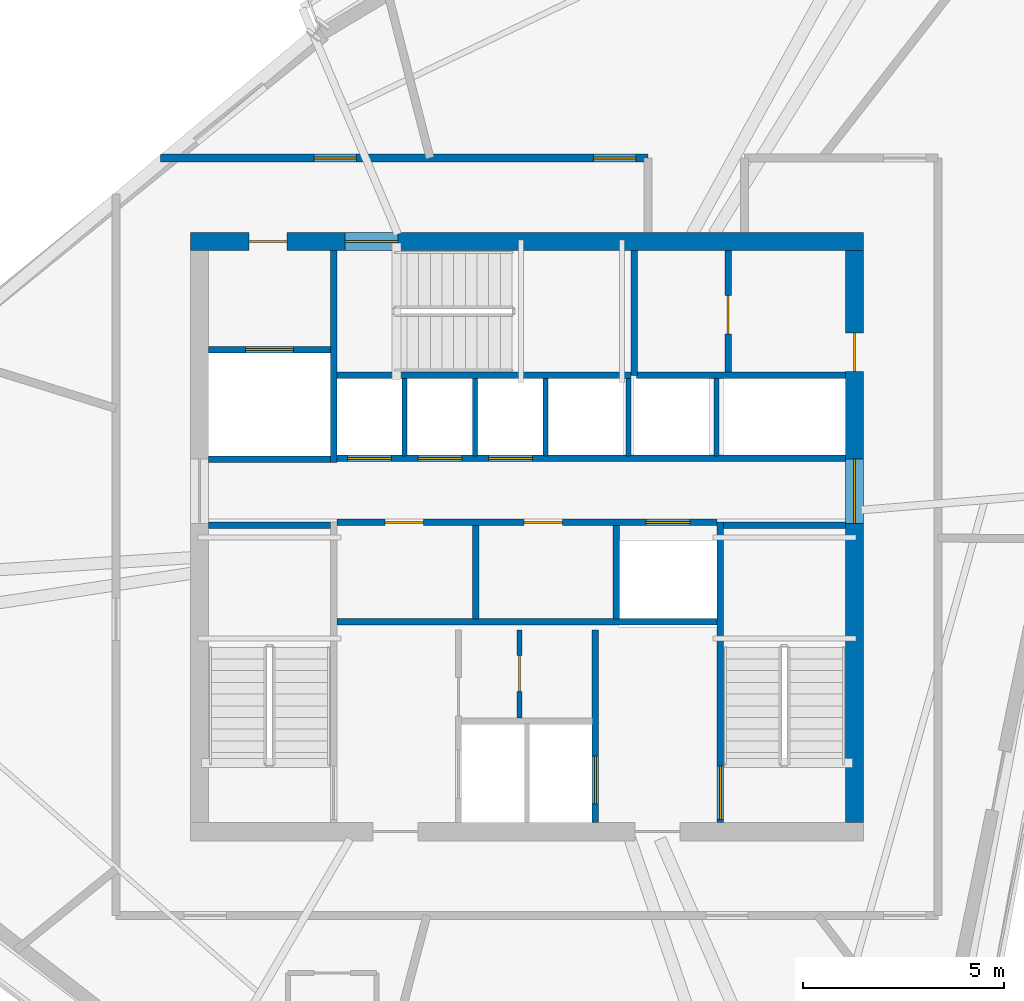
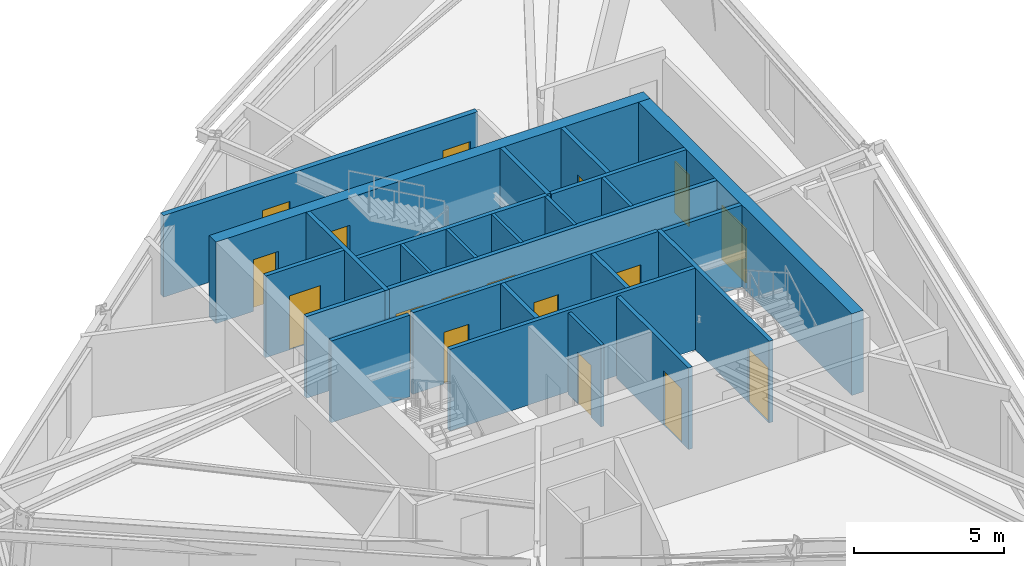
# One storey, part 10 of 14: 25 walls, 17 doors, 17 openings.
"""IFC4 building model written with IfcOpenShell, lengths in metres."""

from ifc_helpers import new_model, si_unit, direction, frame, frame_2d, origin, place, context, subcontext, project, spatial, rectangle, extrude, source, transform, mapped, material, layer, layer_set, type_object, type_shapes, element, fill, save


model = new_model("IFC4")

# Units and contexts
model_context = context("Model", 3, precision=1e-05, world=origin(), true_north=direction((0.0, 1.0)))
body_context = subcontext(model_context, "Body", "Model", "MODEL_VIEW")
ifc_project = project(units=[si_unit("LENGTHUNIT", "METRE"), si_unit("AREAUNIT", "SQUARE_METRE"), si_unit("VOLUMEUNIT", "CUBIC_METRE"), si_unit("PLANEANGLEUNIT", "RADIAN"), si_unit("MASSUNIT", "GRAM", prefix="KILO")], contexts=[model_context])

# Site, building, storey
site_placement = place(None, origin())
site = spatial("IfcSite", under=ifc_project, at=site_placement, CompositionType="ELEMENT")
building_placement = place(site_placement, origin())
building = spatial("IfcBuilding", under=site, at=building_placement, Name="Olszyna Solenne Hotel", CompositionType="ELEMENT")
storey_placement = place(building_placement, frame((0.0, 0.0, 274.10009765625)))
storey = spatial("IfcBuildingStorey", under=building, at=storey_placement, Name="L73", CompositionType="ELEMENT", Elevation=274.10009765625)

# Wall, openings, doors
ifc_material_1 = material(Name="Concrete C50/60", Category="concrete")
ifc_layer_1 = layer(ifc_material_1, 0.449951171875, Name="Concrete C50/60")
ifc_layer_set_1 = layer_set([ifc_layer_1], Name="Concrete C50/60")
wall_type_1 = type_object("IfcWallType", Name="WL-CR450", PredefinedType="SHEAR", material=ifc_layer_set_1)
wall_1_placement = place(storey_placement, frame((29.64990234375, 33.925048828125, 0.0), z_axis=(0.0, 0.0, 1.0), x_axis=(1.0, 0.0, 0.0)))
wall_1 = element("IfcWall", 1, at=wall_1_placement, inside=storey, type_object=wall_type_1, Name="Core shear wall WL-CR450 CRW-L73-N", PredefinedType="SHEAR", context=body_context, shape_type="SweptSolid", body=[
    extrude(rectangle(XDim=16.7001953125, YDim=0.449951171875, at=frame_2d((8.35009765625, 0.0))), origin(), (0.0, 0.0, 1.0), 3.31982421875),
])
opening_1_placement = place(wall_1_placement, frame((1.449951171875, 0.0, 0.0)))
opening_1 = element("IfcOpeningElement", 2, at=opening_1_placement, cuts=wall_1, Name="Opening SVD-L73-01", PredefinedType="OPENING", context=body_context, shape_type="SweptSolid", body=[
    extrude(rectangle(XDim=0.949951171875, YDim=2.10009765625, at=frame_2d((0.47509765625, 1.050048828125))), frame((0.0, 0.23486328125, 0.0), z_axis=(0.0, -1.0, 0.0), x_axis=(1.0, 0.0, 0.0)), (0.0, 0.0, 1.0), 0.469970703125),
])
opening_2_placement = place(wall_1_placement, frame((3.830078125, 0.0, 0.0)))
opening_2 = element("IfcOpeningElement", 3, at=opening_2_placement, cuts=wall_1, Name="Opening STD-L73-03", PredefinedType="OPENING", context=body_context, shape_type="SweptSolid", body=[
    extrude(rectangle(XDim=1.320068359375, YDim=2.199951171875, at=frame_2d((0.66015625, 1.10009765625))), frame((0.0, 0.23486328125, 0.0), z_axis=(0.0, -1.0, 0.0), x_axis=(1.0, 0.0, 0.0)), (0.0, 0.0, 1.0), 0.469970703125),
])
ifc_material_2 = material(Name="Steel S355J2", Category="steel")
door_type_1 = type_object("IfcDoorType", Name="DR-ST1", OperationType="NOTDEFINED", PredefinedType="DOOR", material=ifc_material_2)
shared_shape_1 = source(origin(), body_context, "Body", "SweptSolid", [
    extrude(rectangle(XDim=1.320068359375, YDim=2.199951171875, at=frame_2d((0.66015625, 1.10009765625))), frame((0.0, 0.02490234375, 0.0), z_axis=(0.0, -1.0, 0.0), x_axis=(1.0, 0.0, 0.0)), (0.0, 0.0, 1.0), 0.050048828125),
])
type_shapes(door_type_1, [shared_shape_1])
door_1_placement = place(opening_2_placement, origin())
door_1 = element("IfcDoor", 4, at=door_1_placement, inside=storey, type_object=door_type_1, Name="Pressurised exit stair ST3 fire door STD-L73-03", OperationType="SINGLE_SWING_RIGHT", OverallHeight=2.199951171875, OverallWidth=1.320068359375, PredefinedType="DOOR", context=body_context, shape_type="MappedRepresentation", body=[
    mapped(shared_shape_1, transform((0.0, 0.0, 0.0), x_axis=(1.0, 0.0, 0.0), y_axis=(0.0, 1.0, 0.0), z_axis=(0.0, 0.0, 1.0), scale=1.0)),
])
fill(opening_2, door_1)
door_type_2 = type_object("IfcDoorType", Name="DR-SV1", OperationType="NOTDEFINED", PredefinedType="DOOR", material=ifc_material_2)
shared_shape_2 = source(origin(), body_context, "Body", "SweptSolid", [
    extrude(rectangle(XDim=0.949951171875, YDim=2.10009765625, at=frame_2d((0.47509765625, 1.050048828125))), frame((0.0, 0.02490234375, 0.0), z_axis=(0.0, -1.0, 0.0), x_axis=(1.0, 0.0, 0.0)), (0.0, 0.0, 1.0), 0.050048828125),
])
type_shapes(door_type_2, [shared_shape_2])
door_2_placement = place(opening_1_placement, origin())
door_2 = element("IfcDoor", 5, at=door_2_placement, inside=storey, type_object=door_type_2, Name="Service lift lobby fire door SVD-L73-01", OperationType="SINGLE_SWING_LEFT", OverallHeight=2.10009765625, OverallWidth=0.949951171875, PredefinedType="DOOR", context=body_context, shape_type="MappedRepresentation", body=[
    mapped(shared_shape_2, transform((0.0, 0.0, 0.0), x_axis=(1.0, 0.0, 0.0), y_axis=(0.0, 1.0, 0.0), z_axis=(0.0, 0.0, 1.0), scale=1.0)),
])
fill(opening_1, door_2)

wall_2_placement = place(storey_placement, frame((46.125, 33.699951171875, 0.0), z_axis=(0.0, 0.0, 1.0), x_axis=(0.0, -1.0, 0.0)))
wall_2 = element("IfcWall", 6, at=wall_2_placement, inside=storey, type_object=wall_type_1, Name="Core shear wall WL-CR450 CRW-L73-E", PredefinedType="SHEAR", context=body_context, shape_type="SweptSolid", body=[
    extrude(rectangle(XDim=14.199951171875, YDim=0.449951171875, at=frame_2d((7.10009765625, 0.0))), origin(), (0.0, 0.0, 1.0), 3.31982421875),
])
opening_3_placement = place(wall_2_placement, frame((5.179931640625, 0.0, 0.0)))
opening_3 = element("IfcOpeningElement", 7, at=opening_3_placement, cuts=wall_2, Name="Opening LHD-L73-E", PredefinedType="OPENING", context=body_context, shape_type="SweptSolid", body=[
    extrude(rectangle(XDim=1.60009765625, YDim=2.199951171875, at=frame_2d((0.800048828125, 1.10009765625))), frame((0.0, 0.23486328125, 0.0), z_axis=(0.0, -1.0, 0.0), x_axis=(1.0, 0.0, 0.0)), (0.0, 0.0, 1.0), 0.469970703125),
])
opening_4_placement = place(wall_2_placement, frame((2.050048828125, 0.0, 0.0)))
opening_4 = element("IfcOpeningElement", 8, at=opening_4_placement, cuts=wall_2, Name="Opening SVD-L73-BE", PredefinedType="OPENING", context=body_context, shape_type="SweptSolid", body=[
    extrude(rectangle(XDim=0.949951171875, YDim=2.10009765625, at=frame_2d((0.47509765625, 1.050048828125))), frame((0.0, 0.23486328125, 0.0), z_axis=(0.0, -1.0, 0.0), x_axis=(1.0, 0.0, 0.0)), (0.0, 0.0, 1.0), 0.469970703125),
])
door_3_placement = place(opening_4_placement, origin())
door_3 = element("IfcDoor", 9, at=door_3_placement, inside=storey, type_object=door_type_2, Name="Housekeeping core fire door SVD-L73-BE", OperationType="SINGLE_SWING_RIGHT", OverallHeight=2.10009765625, OverallWidth=0.949951171875, PredefinedType="DOOR", context=body_context, shape_type="MappedRepresentation", body=[
    mapped(shared_shape_2, transform((0.0, 0.0, 0.0), x_axis=(1.0, 0.0, 0.0), y_axis=(0.0, 1.0, 0.0), z_axis=(0.0, 0.0, 1.0), scale=1.0)),
])
fill(opening_4, door_3)
ifc_material_3 = material(Name="Timber hardwood", Category="wood")
door_type_3 = type_object("IfcDoorType", Name="DR-CR1", OperationType="DOUBLE_DOOR_SINGLE_SWING", PredefinedType="DOOR", material=ifc_material_3)
shared_shape_3 = source(origin(), body_context, "Body", "SweptSolid", [
    extrude(rectangle(XDim=1.60009765625, YDim=2.199951171875, at=frame_2d((0.800048828125, 1.10009765625))), frame((0.0, 0.02490234375, 0.0), z_axis=(0.0, -1.0, 0.0), x_axis=(1.0, 0.0, 0.0)), (0.0, 0.0, 1.0), 0.050048828125),
])
type_shapes(door_type_3, [shared_shape_3])
door_4_placement = place(opening_3_placement, origin())
door_4 = element("IfcDoor", 10, at=door_4_placement, inside=storey, type_object=door_type_3, Name="Passenger lift lobby East fire door LHD-L73-E", OperationType="DOUBLE_DOOR_SINGLE_SWING", OverallHeight=2.199951171875, OverallWidth=1.60009765625, PredefinedType="DOOR", context=body_context, shape_type="MappedRepresentation", body=[
    mapped(shared_shape_3, transform((0.0, 0.0, 0.0), x_axis=(1.0, 0.0, 0.0), y_axis=(0.0, 1.0, 0.0), z_axis=(0.0, 0.0, 1.0), scale=1.0)),
])
fill(opening_3, door_4)

# Wall, opening, door
ifc_material_4 = material(Name="Acoustic gypsum partition", Category="gypsum")
ifc_layer_2 = layer(ifc_material_4, 0.125, Name="Acoustic gypsum partition")
ifc_layer_set_2 = layer_set([ifc_layer_2], Name="Acoustic gypsum partition")
wall_type_2 = type_object("IfcWallType", Name="WL-PT125", PredefinedType="PARTITIONING", material=ifc_layer_set_2)
wall_3_placement = place(storey_placement, frame((37.820068359375, 22.10009765625, 0.0), z_axis=(0.0, 0.0, 1.0), x_axis=(0.0, 1.0, 0.0)))
wall_3 = element("IfcWall", 11, at=wall_3_placement, inside=storey, type_object=wall_type_2, Name="Core shaft compartment wall CW-L73-SC1", PredefinedType="PARTITIONING", context=body_context, shape_type="SweptSolid", body=[
    extrude(rectangle(XDim=2.179931640625, YDim=0.125, at=frame_2d((1.08984375, 0.0))), origin(), (0.0, 0.0, 1.0), 3.31982421875),
])
opening_5_placement = place(wall_3_placement, frame((0.64990234375, 0.0, 0.0)))
opening_5 = element("IfcOpeningElement", 12, at=opening_5_placement, cuts=wall_3, Name="Opening SVD-L73-SC1", PredefinedType="OPENING", context=body_context, shape_type="SweptSolid", body=[
    extrude(rectangle(XDim=0.89990234375, YDim=2.10009765625, at=frame_2d((0.449951171875, 1.050048828125))), frame((0.0, 0.072509765625, 0.0), z_axis=(0.0, -1.0, 0.0), x_axis=(1.0, 0.0, 0.0)), (0.0, 0.0, 1.0), 0.14501953125),
])
door_type_4 = type_object("IfcDoorType", Name="DR-WC1", OperationType="NOTDEFINED", PredefinedType="DOOR", material=ifc_material_3)
shared_shape_4 = source(origin(), body_context, "Body", "SweptSolid", [
    extrude(rectangle(XDim=0.89990234375, YDim=2.10009765625, at=frame_2d((0.449951171875, 1.050048828125))), frame((0.0, 0.02490234375, 0.0), z_axis=(0.0, -1.0, 0.0), x_axis=(1.0, 0.0, 0.0)), (0.0, 0.0, 1.0), 0.050048828125),
])
type_shapes(door_type_4, [shared_shape_4])
door_5_placement = place(opening_5_placement, origin())
door_5 = element("IfcDoor", 13, at=door_5_placement, inside=storey, type_object=door_type_4, Name="Pantry locker door SVD-L73-SC1", OperationType="SINGLE_SWING_LEFT", OverallHeight=2.10009765625, OverallWidth=0.89990234375, PredefinedType="DOOR", context=body_context, shape_type="MappedRepresentation", body=[
    mapped(shared_shape_4, transform((0.0, 0.0, 0.0), x_axis=(1.0, 0.0, 0.0), y_axis=(0.0, 1.0, 0.0), z_axis=(0.0, 0.0, 1.0), scale=1.0)),
])
fill(opening_5, door_5)

# Walls
for number, where, z_axis, x_axis, name in (
    (14, (34.965087890625, 28.60009765625, 0.0), (0.0, 0.0, 1.0), (0.0, 1.0, 0.0), "Core shaft compartment wall CW-L73-DIVN349"),
    (15, (36.715087890625, 28.60009765625, 0.0), (0.0, 0.0, 1.0), (0.0, 1.0, 0.0), "Core shaft compartment wall CW-L73-DIVN367"),
    (16, (38.465087890625, 28.60009765625, 0.0), (0.0, 0.0, 1.0), (0.0, 1.0, 0.0), "Core shaft compartment wall CW-L73-DIVN384"),
    (17, (40.52490234375, 28.60009765625, 0.0), (0.0, 0.0, 1.0), (0.0, 1.0, 0.0), "Core shaft compartment wall CW-L73-DIVEX405"),
    (18, (42.699951171875, 28.60009765625, 0.0), (0.0, 0.0, 1.0), (0.0, 1.0, 0.0), "Core shaft compartment wall CW-L73-DIVEX427"),
):
    element("IfcWall", number, at=place(storey_placement, frame(where, z_axis=z_axis, x_axis=x_axis)), inside=storey, type_object=wall_type_2, Name=name, PredefinedType="PARTITIONING", context=body_context, shape_type="SweptSolid", body=[
        extrude(rectangle(XDim=1.919921875, YDim=0.125, at=frame_2d((0.9599609375, 0.0))), origin(), (0.0, 0.0, 1.0), 3.31982421875),
    ])
ifc_layer_3 = layer(ifc_material_4, 0.159912109375, Name="Acoustic gypsum partition")
ifc_layer_set_3 = layer_set([ifc_layer_3], Name="Acoustic gypsum partition")
wall_type_3 = type_object("IfcWallType", Name="WL-PT160", PredefinedType="PARTITIONING", material=ifc_layer_set_3)
wall_4_placement = place(storey_placement, frame((30.10009765625, 26.8798828125, 0.0), z_axis=(0.0, 0.0, 1.0), x_axis=(1.0, 0.0, 0.0)))
element("IfcWall", 19, at=wall_4_placement, inside=storey, type_object=wall_type_3, Name="Core shaft compartment wall CW-L73-ST1N", PredefinedType="PARTITIONING", context=body_context, shape_type="SweptSolid", body=[
    extrude(rectangle(XDim=3.02001953125, YDim=0.159912109375, at=frame_2d((1.510009765625, 0.0))), origin(), (0.0, 0.0, 1.0), 3.31982421875),
])

# Wall, opening, door
wall_5_placement = place(storey_placement, frame((42.800048828125, 26.9599609375, 0.0), z_axis=(0.0, 0.0, 1.0), x_axis=(0.0, -1.0, 0.0)))
wall_5 = element("IfcWall", 20, at=wall_5_placement, inside=storey, type_object=wall_type_3, Name="Core shaft compartment wall CW-L73-ST2W", PredefinedType="PARTITIONING", context=body_context, shape_type="SweptSolid", body=[
    extrude(rectangle(XDim=7.4599609375, YDim=0.159912109375, at=frame_2d((3.72998046875, 0.0))), origin(), (0.0, 0.0, 1.0), 3.31982421875),
])
opening_6_placement = place(wall_5_placement, frame((6.06005859375, 0.0, 0.0)))
opening_6 = element("IfcOpeningElement", 21, at=opening_6_placement, cuts=wall_5, Name="Opening STD-L73-02", PredefinedType="OPENING", context=body_context, shape_type="SweptSolid", body=[
    extrude(rectangle(XDim=1.320068359375, YDim=2.199951171875, at=frame_2d((0.66015625, 1.10009765625))), frame((0.0, 0.08984375, 0.0), z_axis=(0.0, -1.0, 0.0), x_axis=(1.0, 0.0, 0.0)), (0.0, 0.0, 1.0), 0.179931640625),
])
door_6_placement = place(opening_6_placement, origin())
door_6 = element("IfcDoor", 22, at=door_6_placement, inside=storey, type_object=door_type_1, Name="Pressurised exit stair ST2 fire door STD-L73-02", OperationType="SINGLE_SWING_RIGHT", OverallHeight=2.199951171875, OverallWidth=1.320068359375, PredefinedType="DOOR", context=body_context, shape_type="MappedRepresentation", body=[
    mapped(shared_shape_1, transform((0.0, 0.0, 0.0), x_axis=(1.0, 0.0, 0.0), y_axis=(0.0, 1.0, 0.0), z_axis=(0.0, 0.0, 1.0), scale=1.0)),
])
fill(opening_6, door_6)

# Walls
wall_6_placement = place(storey_placement, frame((42.8798828125, 26.8798828125, 0.0), z_axis=(0.0, 0.0, 1.0), x_axis=(1.0, 0.0, 0.0)))
element("IfcWall", 23, at=wall_6_placement, inside=storey, type_object=wall_type_3, Name="Core shaft compartment wall CW-L73-ST2N", PredefinedType="PARTITIONING", context=body_context, shape_type="SweptSolid", body=[
    extrude(rectangle(XDim=3.02001953125, YDim=0.159912109375, at=frame_2d((1.510009765625, 0.0))), origin(), (0.0, 0.0, 1.0), 3.31982421875),
])
wall_7_placement = place(storey_placement, frame((33.280029296875, 30.60009765625, 0.0), z_axis=(0.0, 0.0, 1.0), x_axis=(1.0, 0.0, 0.0)))
element("IfcWall", 24, at=wall_7_placement, inside=storey, type_object=wall_type_3, Name="Core shaft compartment wall CW-L73-ST3S", PredefinedType="PARTITIONING", context=body_context, shape_type="SweptSolid", body=[
    extrude(rectangle(XDim=7.300048828125, YDim=0.159912109375, at=frame_2d((3.64990234375, 0.0))), origin(), (0.0, 0.0, 1.0), 3.31982421875),
])
wall_8_placement = place(storey_placement, frame((40.659912109375, 30.60009765625, 0.0), z_axis=(0.0, 0.0, 1.0), x_axis=(0.0, 1.0, 0.0)))
element("IfcWall", 25, at=wall_8_placement, inside=storey, type_object=wall_type_3, Name="Core shaft compartment wall CW-L73-ST3E", PredefinedType="PARTITIONING", context=body_context, shape_type="SweptSolid", body=[
    extrude(rectangle(XDim=3.099853515625, YDim=0.159912109375, at=frame_2d((1.5498046875, 0.0))), origin(), (0.0, 0.0, 1.0), 3.31982421875),
])

# Wall, opening, door
wall_9_placement = place(storey_placement, frame((39.699951171875, 24.280029296875, 0.0), z_axis=(0.0, 0.0, 1.0), x_axis=(0.0, -1.0, 0.0)))
wall_9 = element("IfcWall", 26, at=wall_9_placement, inside=storey, type_object=wall_type_3, Name="Core shaft compartment wall CW-L73-FF2E", PredefinedType="PARTITIONING", context=body_context, shape_type="SweptSolid", body=[
    extrude(rectangle(XDim=4.780029296875, YDim=0.159912109375, at=frame_2d((2.39013671875, 0.0))), origin(), (0.0, 0.0, 1.0), 3.31982421875),
])
opening_7_placement = place(wall_9_placement, frame((3.1201171875, 0.0, 0.0)))
opening_7 = element("IfcOpeningElement", 27, at=opening_7_placement, cuts=wall_9, Name="Opening LD-L73-FF2", PredefinedType="OPENING", context=body_context, shape_type="SweptSolid", body=[
    extrude(rectangle(XDim=1.199951171875, YDim=2.199951171875, at=frame_2d((0.60009765625, 1.10009765625))), frame((0.0, 0.08984375, 0.0), z_axis=(0.0, -1.0, 0.0), x_axis=(1.0, 0.0, 0.0)), (0.0, 0.0, 1.0), 0.179931640625),
])
door_type_5 = type_object("IfcDoorType", Name="LD-FF1", OperationType="DOUBLE_DOOR_SLIDING", PredefinedType="DOOR", material=ifc_material_2)
shared_shape_5 = source(origin(), body_context, "Body", "SweptSolid", [
    extrude(rectangle(XDim=1.199951171875, YDim=2.199951171875, at=frame_2d((0.60009765625, 1.10009765625))), frame((0.0, 0.02490234375, 0.0), z_axis=(0.0, -1.0, 0.0), x_axis=(1.0, 0.0, 0.0)), (0.0, 0.0, 1.0), 0.050048828125),
])
type_shapes(door_type_5, [shared_shape_5])
door_7_placement = place(opening_7_placement, origin())
door_7 = element("IfcDoor", 28, at=door_7_placement, inside=storey, type_object=door_type_5, Name="Firefighters lift FF2 sliding landing door LD-L73-FF2", OperationType="DOUBLE_DOOR_SLIDING", OverallHeight=2.199951171875, OverallWidth=1.199951171875, PredefinedType="DOOR", context=body_context, shape_type="MappedRepresentation", body=[
    mapped(shared_shape_5, transform((0.0, 0.0, 0.0), x_axis=(1.0, 0.0, 0.0), y_axis=(0.0, 1.0, 0.0), z_axis=(0.0, 0.0, 1.0), scale=1.0)),
])
fill(opening_7, door_7)

# Walls
wall_10_placement = place(storey_placement, frame((33.280029296875, 24.489990234375, 0.0), z_axis=(0.0, 0.0, 1.0), x_axis=(1.0, 0.0, 0.0)))
element("IfcWall", 29, at=wall_10_placement, inside=storey, type_object=wall_type_3, Name="Core shaft compartment wall CW-L73-FFBN", PredefinedType="PARTITIONING", context=body_context, shape_type="SweptSolid", body=[
    extrude(rectangle(XDim=9.43994140625, YDim=0.159912109375, at=frame_2d((4.719970703125, 0.0))), origin(), (0.0, 0.0, 1.0), 3.31982421875),
])
wall_11_placement = place(storey_placement, frame((30.10009765625, 28.52001953125, 0.0), z_axis=(0.0, 0.0, 1.0), x_axis=(1.0, 0.0, 0.0)))
element("IfcWall", 30, at=wall_11_placement, inside=storey, type_object=wall_type_3, Name="Core shaft compartment wall CW-L73-SV1S", PredefinedType="PARTITIONING", context=body_context, shape_type="SweptSolid", body=[
    extrude(rectangle(XDim=3.02001953125, YDim=0.159912109375, at=frame_2d((1.510009765625, 0.0))), origin(), (0.0, 0.0, 1.0), 3.31982421875),
])
wall_12_placement = place(storey_placement, frame((33.199951171875, 28.43994140625, 0.0), z_axis=(0.0, 0.0, 1.0), x_axis=(0.0, 1.0, 0.0)))
element("IfcWall", 31, at=wall_12_placement, inside=storey, type_object=wall_type_3, Name="Core shaft compartment wall CW-L73-SV1E", PredefinedType="PARTITIONING", context=body_context, shape_type="SweptSolid", body=[
    extrude(rectangle(XDim=5.260009765625, YDim=0.159912109375, at=frame_2d((2.6298828125, 0.0))), origin(), (0.0, 0.0, 1.0), 3.31982421875),
])

# Wall, opening, door
wall_13_placement = place(storey_placement, frame((30.10009765625, 31.239990234375, 0.0), z_axis=(0.0, 0.0, 1.0), x_axis=(1.0, 0.0, 0.0)))
wall_13 = element("IfcWall", 32, at=wall_13_placement, inside=storey, type_object=wall_type_3, Name="Core shaft compartment wall CW-L73-SV1N", PredefinedType="PARTITIONING", context=body_context, shape_type="SweptSolid", body=[
    extrude(rectangle(XDim=3.02001953125, YDim=0.159912109375, at=frame_2d((1.510009765625, 0.0))), origin(), (0.0, 0.0, 1.0), 3.31982421875),
])
opening_8_placement = place(wall_13_placement, frame((0.909912109375, 0.0, 0.0)))
opening_8 = element("IfcOpeningElement", 33, at=opening_8_placement, cuts=wall_13, Name="Opening LD-L73-SV1", PredefinedType="OPENING", context=body_context, shape_type="SweptSolid", body=[
    extrude(rectangle(XDim=1.199951171875, YDim=2.199951171875, at=frame_2d((0.60009765625, 1.10009765625))), frame((0.0, 0.08984375, 0.0), z_axis=(0.0, -1.0, 0.0), x_axis=(1.0, 0.0, 0.0)), (0.0, 0.0, 1.0), 0.179931640625),
])
door_8_placement = place(opening_8_placement, origin())
door_8 = element("IfcDoor", 34, at=door_8_placement, inside=storey, type_object=door_type_5, Name="Service lift SV1 sliding landing door LD-L73-SV1", OperationType="DOUBLE_DOOR_SLIDING", OverallHeight=2.199951171875, OverallWidth=1.199951171875, PredefinedType="DOOR", context=body_context, shape_type="MappedRepresentation", body=[
    mapped(shared_shape_5, transform((0.0, 0.0, 0.0), x_axis=(1.0, 0.0, 0.0), y_axis=(0.0, 1.0, 0.0), z_axis=(0.0, 0.0, 1.0), scale=1.0)),
])
fill(opening_8, door_8)

# Wall, openings, doors
wall_14_placement = place(storey_placement, frame((33.280029296875, 26.949951171875, 0.0), z_axis=(0.0, 0.0, 1.0), x_axis=(1.0, 0.0, 0.0)))
wall_14 = element("IfcWall", 35, at=wall_14_placement, inside=storey, type_object=wall_type_3, Name="Core shaft compartment wall CW-L73-LRS", PredefinedType="PARTITIONING", context=body_context, shape_type="SweptSolid", body=[
    extrude(rectangle(XDim=9.43994140625, YDim=0.159912109375, at=frame_2d((4.719970703125, 0.0))), origin(), (0.0, 0.0, 1.0), 3.31982421875),
])
opening_9_placement = place(wall_14_placement, frame((1.199951171875, 0.0, 0.0)))
opening_9 = element("IfcOpeningElement", 36, at=opening_9_placement, cuts=wall_14, Name="Opening SVD-L73-L71", PredefinedType="OPENING", context=body_context, shape_type="SweptSolid", body=[
    extrude(rectangle(XDim=0.949951171875, YDim=2.10009765625, at=frame_2d((0.47509765625, 1.050048828125))), frame((0.0, 0.08984375, 0.0), z_axis=(0.0, -1.0, 0.0), x_axis=(1.0, 0.0, 0.0)), (0.0, 0.0, 1.0), 0.179931640625),
])
opening_10_placement = place(wall_14_placement, frame((4.64990234375, 0.0, 0.0)))
opening_10 = element("IfcOpeningElement", 37, at=opening_10_placement, cuts=wall_14, Name="Opening SVD-L73-L72", PredefinedType="OPENING", context=body_context, shape_type="SweptSolid", body=[
    extrude(rectangle(XDim=0.949951171875, YDim=2.10009765625, at=frame_2d((0.47509765625, 1.050048828125))), frame((0.0, 0.08984375, 0.0), z_axis=(0.0, -1.0, 0.0), x_axis=(1.0, 0.0, 0.0)), (0.0, 0.0, 1.0), 0.179931640625),
])
opening_11_placement = place(wall_14_placement, frame((7.669921875, 0.0, 0.0)))
opening_11 = element("IfcOpeningElement", 38, at=opening_11_placement, cuts=wall_14, Name="Opening LD-L73-PL5", PredefinedType="OPENING", context=body_context, shape_type="SweptSolid", body=[
    extrude(rectangle(XDim=1.10009765625, YDim=2.199951171875, at=frame_2d((0.550048828125, 1.10009765625))), frame((0.0, 0.08984375, 0.0), z_axis=(0.0, -1.0, 0.0), x_axis=(1.0, 0.0, 0.0)), (0.0, 0.0, 1.0), 0.179931640625),
])
door_9_placement = place(opening_9_placement, origin())
door_9 = element("IfcDoor", 39, at=door_9_placement, inside=storey, type_object=door_type_2, Name="Recaptured core room fire door SVD-L73-L71", OperationType="SINGLE_SWING_LEFT", OverallHeight=2.10009765625, OverallWidth=0.949951171875, PredefinedType="DOOR", context=body_context, shape_type="MappedRepresentation", body=[
    mapped(shared_shape_2, transform((0.0, 0.0, 0.0), x_axis=(1.0, 0.0, 0.0), y_axis=(0.0, 1.0, 0.0), z_axis=(0.0, 0.0, 1.0), scale=1.0)),
])
fill(opening_9, door_9)
door_10_placement = place(opening_10_placement, origin())
door_10 = element("IfcDoor", 40, at=door_10_placement, inside=storey, type_object=door_type_2, Name="Recaptured core room fire door SVD-L73-L72", OperationType="SINGLE_SWING_RIGHT", OverallHeight=2.10009765625, OverallWidth=0.949951171875, PredefinedType="DOOR", context=body_context, shape_type="MappedRepresentation", body=[
    mapped(shared_shape_2, transform((0.0, 0.0, 0.0), x_axis=(1.0, 0.0, 0.0), y_axis=(0.0, 1.0, 0.0), z_axis=(0.0, 0.0, 1.0), scale=1.0)),
])
fill(opening_10, door_10)
door_type_6 = type_object("IfcDoorType", Name="LD-P1", OperationType="DOUBLE_DOOR_SLIDING", PredefinedType="DOOR", material=ifc_material_2)
shared_shape_6 = source(origin(), body_context, "Body", "SweptSolid", [
    extrude(rectangle(XDim=1.10009765625, YDim=2.199951171875, at=frame_2d((0.550048828125, 1.10009765625))), frame((0.0, 0.02490234375, 0.0), z_axis=(0.0, -1.0, 0.0), x_axis=(1.0, 0.0, 0.0)), (0.0, 0.0, 1.0), 0.050048828125),
])
type_shapes(door_type_6, [shared_shape_6])
door_11_placement = place(opening_11_placement, origin())
door_11 = element("IfcDoor", 41, at=door_11_placement, inside=storey, type_object=door_type_6, Name="Passenger lift PL5 sliding landing door LD-L73-PL5", OperationType="DOUBLE_DOOR_SLIDING", OverallHeight=2.199951171875, OverallWidth=1.10009765625, PredefinedType="DOOR", context=body_context, shape_type="MappedRepresentation", body=[
    mapped(shared_shape_6, transform((0.0, 0.0, 0.0), x_axis=(1.0, 0.0, 0.0), y_axis=(0.0, 1.0, 0.0), z_axis=(0.0, 0.0, 1.0), scale=1.0)),
])
fill(opening_11, door_11)

# Walls
for number, where, z_axis, x_axis, name in (
    (42, (36.72998046875, 24.56005859375, 0.0), (0.0, 0.0, 1.0), (0.0, 1.0, 0.0), "Core shaft compartment wall CW-L73-LV7DIV1"),
    (43, (40.215087890625, 24.56005859375, 0.0), (0.0, 0.0, 1.0), (0.0, 1.0, 0.0), "Core shaft compartment wall CW-L73-LV7DIV2"),
):
    element("IfcWall", number, at=place(storey_placement, frame(where, z_axis=z_axis, x_axis=x_axis)), inside=storey, type_object=wall_type_3, Name=name, PredefinedType="PARTITIONING", context=body_context, shape_type="SweptSolid", body=[
        extrude(rectangle(XDim=2.31005859375, YDim=0.159912109375, at=frame_2d((1.155029296875, 0.0))), origin(), (0.0, 0.0, 1.0), 3.31982421875),
    ])

# Wall, openings, doors
wall_15_placement = place(storey_placement, frame((33.280029296875, 28.5400390625, 0.0), z_axis=(0.0, 0.0, 1.0), x_axis=(1.0, 0.0, 0.0)))
wall_15 = element("IfcWall", 44, at=wall_15_placement, inside=storey, type_object=wall_type_3, Name="Core shaft compartment wall CW-L73-LRN", PredefinedType="PARTITIONING", context=body_context, shape_type="SweptSolid", body=[
    extrude(rectangle(XDim=12.619873046875, YDim=0.159912109375, at=frame_2d((6.31005859375, 0.0))), origin(), (0.0, 0.0, 1.0), 3.31982421875),
])
opening_12_placement = place(wall_15_placement, frame((0.260009765625, 0.0, 0.0)))
opening_12 = element("IfcOpeningElement", 45, at=opening_12_placement, cuts=wall_15, Name="Opening LD-L73-PL6", PredefinedType="OPENING", context=body_context, shape_type="SweptSolid", body=[
    extrude(rectangle(XDim=1.10009765625, YDim=2.199951171875, at=frame_2d((0.550048828125, 1.10009765625))), frame((0.0, 0.08984375, 0.0), z_axis=(0.0, -1.0, 0.0), x_axis=(1.0, 0.0, 0.0)), (0.0, 0.0, 1.0), 0.179931640625),
])
opening_13_placement = place(wall_15_placement, frame((2.010009765625, 0.0, 0.0)))
opening_13 = element("IfcOpeningElement", 46, at=opening_13_placement, cuts=wall_15, Name="Opening LD-L73-PL7", PredefinedType="OPENING", context=body_context, shape_type="SweptSolid", body=[
    extrude(rectangle(XDim=1.10009765625, YDim=2.199951171875, at=frame_2d((0.550048828125, 1.10009765625))), frame((0.0, 0.08984375, 0.0), z_axis=(0.0, -1.0, 0.0), x_axis=(1.0, 0.0, 0.0)), (0.0, 0.0, 1.0), 0.179931640625),
])
opening_14_placement = place(wall_15_placement, frame((3.760009765625, 0.0, 0.0)))
opening_14 = element("IfcOpeningElement", 47, at=opening_14_placement, cuts=wall_15, Name="Opening LD-L73-PL8", PredefinedType="OPENING", context=body_context, shape_type="SweptSolid", body=[
    extrude(rectangle(XDim=1.10009765625, YDim=2.199951171875, at=frame_2d((0.550048828125, 1.10009765625))), frame((0.0, 0.08984375, 0.0), z_axis=(0.0, -1.0, 0.0), x_axis=(1.0, 0.0, 0.0)), (0.0, 0.0, 1.0), 0.179931640625),
])
door_12_placement = place(opening_12_placement, origin())
door_12 = element("IfcDoor", 48, at=door_12_placement, inside=storey, type_object=door_type_6, Name="Passenger lift PL6 sliding landing door LD-L73-PL6", OperationType="DOUBLE_DOOR_SLIDING", OverallHeight=2.199951171875, OverallWidth=1.10009765625, PredefinedType="DOOR", context=body_context, shape_type="MappedRepresentation", body=[
    mapped(shared_shape_6, transform((0.0, 0.0, 0.0), x_axis=(1.0, 0.0, 0.0), y_axis=(0.0, 1.0, 0.0), z_axis=(0.0, 0.0, 1.0), scale=1.0)),
])
fill(opening_12, door_12)
door_13_placement = place(opening_13_placement, origin())
door_13 = element("IfcDoor", 49, at=door_13_placement, inside=storey, type_object=door_type_6, Name="Passenger lift PL7 sliding landing door LD-L73-PL7", OperationType="DOUBLE_DOOR_SLIDING", OverallHeight=2.199951171875, OverallWidth=1.10009765625, PredefinedType="DOOR", context=body_context, shape_type="MappedRepresentation", body=[
    mapped(shared_shape_6, transform((0.0, 0.0, 0.0), x_axis=(1.0, 0.0, 0.0), y_axis=(0.0, 1.0, 0.0), z_axis=(0.0, 0.0, 1.0), scale=1.0)),
])
fill(opening_13, door_13)
door_14_placement = place(opening_14_placement, origin())
door_14 = element("IfcDoor", 50, at=door_14_placement, inside=storey, type_object=door_type_6, Name="Passenger lift PL8 sliding landing door LD-L73-PL8", OperationType="DOUBLE_DOOR_SLIDING", OverallHeight=2.199951171875, OverallWidth=1.10009765625, PredefinedType="DOOR", context=body_context, shape_type="MappedRepresentation", body=[
    mapped(shared_shape_6, transform((0.0, 0.0, 0.0), x_axis=(1.0, 0.0, 0.0), y_axis=(0.0, 1.0, 0.0), z_axis=(0.0, 0.0, 1.0), scale=1.0)),
])
fill(opening_14, door_14)

# Wall
wall_16_placement = place(storey_placement, frame((40.719970703125, 30.60009765625, 0.0), z_axis=(0.0, 0.0, 1.0), x_axis=(1.0, 0.0, 0.0)))
element("IfcWall", 51, at=wall_16_placement, inside=storey, type_object=wall_type_3, Name="Core shaft compartment wall CW-L73-LRNTOP", PredefinedType="PARTITIONING", context=body_context, shape_type="SweptSolid", body=[
    extrude(rectangle(XDim=5.179931640625, YDim=0.159912109375, at=frame_2d((2.58984375, 0.0))), origin(), (0.0, 0.0, 1.0), 3.31982421875),
])

# Wall, opening, door
wall_17_placement = place(storey_placement, frame((42.989990234375, 30.679931640625, 0.0), z_axis=(0.0, 0.0, 1.0), x_axis=(0.0, 1.0, 0.0)))
wall_17 = element("IfcWall", 52, at=wall_17_placement, inside=storey, type_object=wall_type_3, Name="Core shaft compartment wall CW-L73-BOH1", PredefinedType="PARTITIONING", context=body_context, shape_type="SweptSolid", body=[
    extrude(rectangle(XDim=3.02001953125, YDim=0.159912109375, at=frame_2d((1.510009765625, 0.0))), origin(), (0.0, 0.0, 1.0), 3.31982421875),
])
opening_15_placement = place(wall_17_placement, frame((0.949951171875, 0.0, 0.0)))
opening_15 = element("IfcOpeningElement", 53, at=opening_15_placement, cuts=wall_17, Name="Opening SVD-L73-BI1", PredefinedType="OPENING", context=body_context, shape_type="SweptSolid", body=[
    extrude(rectangle(XDim=0.949951171875, YDim=2.10009765625, at=frame_2d((0.47509765625, 1.050048828125))), frame((0.0, 0.08984375, 0.0), z_axis=(0.0, -1.0, 0.0), x_axis=(1.0, 0.0, 0.0)), (0.0, 0.0, 1.0), 0.179931640625),
])
door_15_placement = place(opening_15_placement, origin())
door_15 = element("IfcDoor", 54, at=door_15_placement, inside=storey, type_object=door_type_2, Name="BOH inter-room fire door SVD-L73-BI1", OperationType="SINGLE_SWING_LEFT", OverallHeight=2.10009765625, OverallWidth=0.949951171875, PredefinedType="DOOR", context=body_context, shape_type="MappedRepresentation", body=[
    mapped(shared_shape_2, transform((0.0, 0.0, 0.0), x_axis=(1.0, 0.0, 0.0), y_axis=(0.0, 1.0, 0.0), z_axis=(0.0, 0.0, 1.0), scale=1.0)),
])
fill(opening_15, door_15)

# Wall, openings, doors
ifc_layer_4 = layer(ifc_material_4, 0.199951171875, Name="Acoustic gypsum partition")
ifc_layer_set_4 = layer_set([ifc_layer_4], Name="Acoustic gypsum partition")
wall_type_4 = type_object("IfcWallType", Name="WL-PT200", PredefinedType="PARTITIONING", material=ifc_layer_set_4)
wall_18_placement = place(storey_placement, frame((28.906494140625, 36.0, 0.0), z_axis=(0.0, 0.0, 1.0), x_axis=(1.0, 0.0, 0.0)))
wall_18 = element("IfcWall", 55, at=wall_18_placement, inside=storey, type_object=wall_type_4, Name="Interior acoustic partition WL-PT200 PW-L73-4021", PredefinedType="PARTITIONING", context=body_context, shape_type="SweptSolid", body=[
    extrude(rectangle(XDim=12.093505859375, YDim=0.199951171875, at=frame_2d((6.046875, 0.0))), origin(), (0.0, 0.0, 1.0), 3.31982421875),
])
opening_16_placement = place(wall_18_placement, frame((10.743896484375, 0.0, 0.0)))
opening_16 = element("IfcOpeningElement", 56, at=opening_16_placement, cuts=wall_18, Name="Opening DR-L73-0975", PredefinedType="OPENING", context=body_context, shape_type="SweptSolid", body=[
    extrude(rectangle(XDim=1.050048828125, YDim=2.199951171875, at=frame_2d((0.52490234375, 1.10009765625))), frame((0.0, 0.10986328125, 0.0), z_axis=(0.0, -1.0, 0.0), x_axis=(1.0, 0.0, 0.0)), (0.0, 0.0, 1.0), 0.219970703125),
])
opening_17_placement = place(wall_18_placement, frame((3.81005859375, 0.0, 0.0)))
opening_17 = element("IfcOpeningElement", 57, at=opening_17_placement, cuts=wall_18, Name="Opening DR-L73-0976", PredefinedType="OPENING", context=body_context, shape_type="SweptSolid", body=[
    extrude(rectangle(XDim=1.050048828125, YDim=2.199951171875, at=frame_2d((0.52490234375, 1.10009765625))), frame((0.0, 0.10986328125, 0.0), z_axis=(0.0, -1.0, 0.0), x_axis=(1.0, 0.0, 0.0)), (0.0, 0.0, 1.0), 0.219970703125),
])
door_type_7 = type_object("IfcDoorType", Name="DR-RM2", OperationType="NOTDEFINED", PredefinedType="DOOR", material=ifc_material_3)
shared_shape_7 = source(origin(), body_context, "Body", "SweptSolid", [
    extrude(rectangle(XDim=1.050048828125, YDim=2.199951171875, at=frame_2d((0.52490234375, 1.10009765625))), frame((0.0, 0.02490234375, 0.0), z_axis=(0.0, -1.0, 0.0), x_axis=(1.0, 0.0, 0.0)), (0.0, 0.0, 1.0), 0.050048828125),
])
type_shapes(door_type_7, [shared_shape_7])
door_16_placement = place(opening_16_placement, origin())
door_16 = element("IfcDoor", 58, at=door_16_placement, inside=storey, type_object=door_type_7, Name="Wellness Spa Studio Entrance Door DR-L73-0975", OperationType="SINGLE_SWING_LEFT", OverallHeight=2.199951171875, OverallWidth=1.050048828125, PredefinedType="DOOR", context=body_context, shape_type="MappedRepresentation", body=[
    mapped(shared_shape_7, transform((0.0, 0.0, 0.0), x_axis=(1.0, 0.0, 0.0), y_axis=(0.0, 1.0, 0.0), z_axis=(0.0, 0.0, 1.0), scale=1.0)),
])
fill(opening_16, door_16)
door_17_placement = place(opening_17_placement, origin())
door_17 = element("IfcDoor", 59, at=door_17_placement, inside=storey, type_object=door_type_7, Name="Boutique Art Gallery Entrance Door DR-L73-0976", OperationType="SINGLE_SWING_RIGHT", OverallHeight=2.199951171875, OverallWidth=1.050048828125, PredefinedType="DOOR", context=body_context, shape_type="MappedRepresentation", body=[
    mapped(shared_shape_7, transform((0.0, 0.0, 0.0), x_axis=(1.0, 0.0, 0.0), y_axis=(0.0, 1.0, 0.0), z_axis=(0.0, 0.0, 1.0), scale=1.0)),
])
fill(opening_17, door_17)

save(model, "model.ifc")
